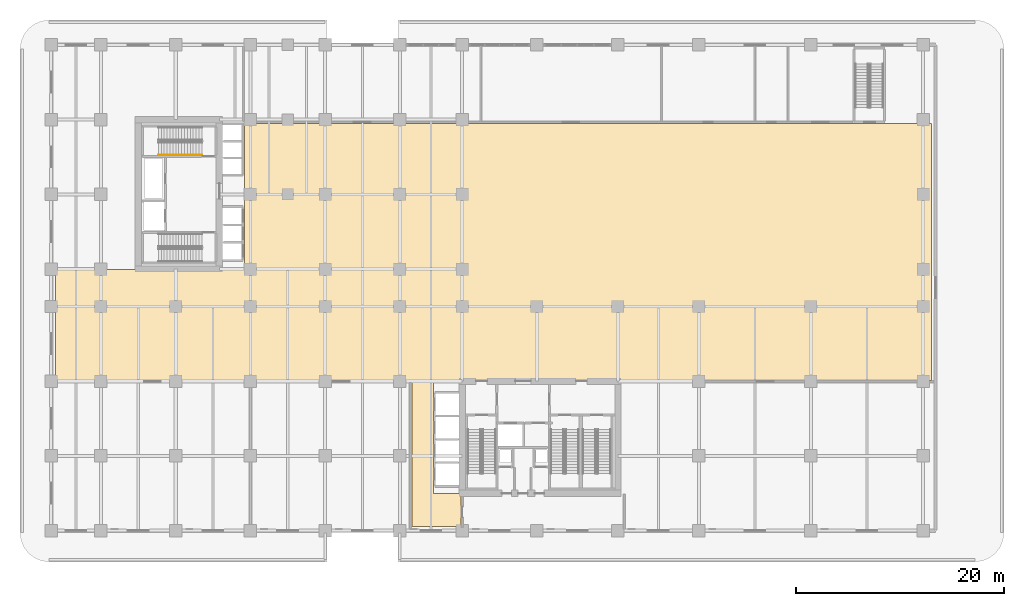
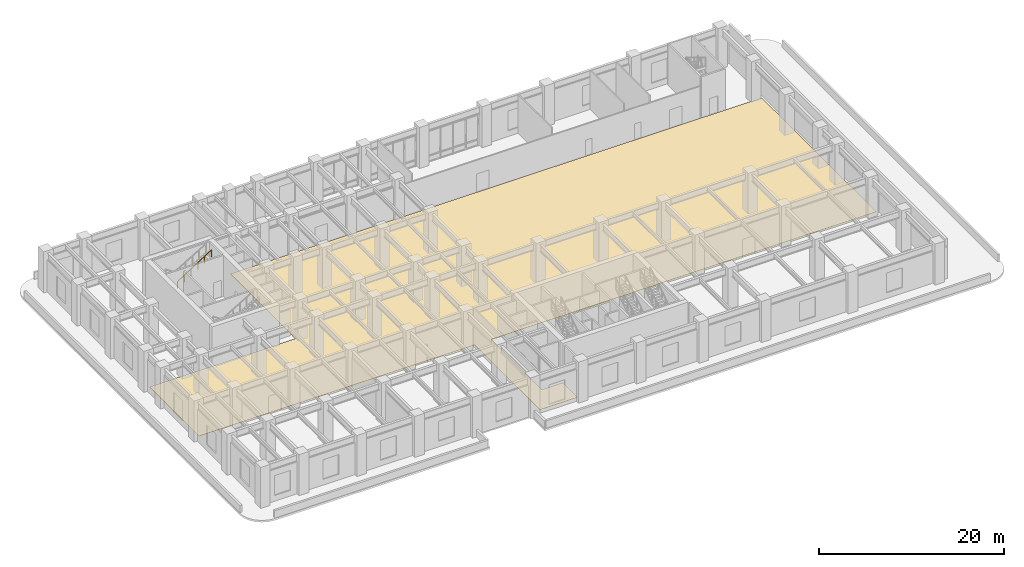
# One storey, part 18 of 20: 1 covering, 1 railing.
"""IFC4 building model written with IfcOpenShell, lengths in metres."""

from ifc_helpers import new_model, si_unit, derived_unit, direction, frame, origin, origin_2d, place, context, subcontext, project, spatial, polyline, rectangle, outline, extrude, material, layer, layer_set, type_object, element, save


model = new_model("IFC4")

# Units and contexts
model_context = context("Model", 3, precision=1e-05, world=origin(), true_north=direction((0.0, 1.0)))
body_context = subcontext(model_context, "Body", "Model", "MODEL_VIEW")
ifc_project = project(units=[si_unit("LENGTHUNIT", "METRE"), si_unit("AREAUNIT", "SQUARE_METRE"), si_unit("VOLUMEUNIT", "CUBIC_METRE"), si_unit("PLANEANGLEUNIT", "RADIAN"), si_unit("MASSUNIT", "GRAM", prefix="KILO"), si_unit("THERMODYNAMICTEMPERATUREUNIT", "KELVIN"), si_unit("POWERUNIT", "WATT"), derived_unit("THERMALTRANSMITTANCEUNIT", [(si_unit("POWERUNIT", "WATT"), 1), (si_unit("AREAUNIT", "SQUARE_METRE"), -1), (si_unit("THERMODYNAMICTEMPERATUREUNIT", "KELVIN"), -1)])], contexts=[model_context])

# Site, building, storey
site_placement = place(None, origin())
site = spatial("IfcSite", under=ifc_project, at=site_placement, CompositionType="ELEMENT")
building_placement = place(site_placement, origin())
building = spatial("IfcBuilding", under=site, at=building_placement, Name="Zahravan Archway Hotel and Residences", CompositionType="ELEMENT")
storey_placement = place(building_placement, frame((0.0, 0.0, 16.199951171875)))
storey = spatial("IfcBuildingStorey", under=building, at=storey_placement, Name="L03", CompositionType="ELEMENT", Elevation=16.199951171875)

# Covering
ifc_material_1 = material(Name="Honed Margalla Limestone & Mortar Bed", Category="masonry")
ifc_layer = layer(ifc_material_1, 0.030029296875, Name="Honed Margalla Limestone & Mortar Bed", Category="masonry")
ifc_layer_set = layer_set([ifc_layer], Name="Honed Margalla Limestone & Mortar Bed")
covering_type = type_object("IfcCoveringType", Name="COV-FLR-STONE", PredefinedType="FLOORING", material=ifc_layer_set)
covering_placement = place(storey_placement, origin())
element("IfcCovering", 1, at=covering_placement, inside=storey, type_object=covering_type, Name="L03 Circulation Floor Finish", PredefinedType="FLOORING", context=body_context, shape_type="SweptSolid", body=[
    extrude(outline(polyline([(32.021484375, 3.634521484375), (32.04345703125, 3.593505859375), (32.08447265625, 3.571533203125), (34.669921875, 3.570068359375), (34.669921875, 0.3798828125), (29.9599609375, 0.3798828125), (29.9599609375, 14.39990234375), (29.946533203125, 14.4443359375), (29.91064453125, 14.473876953125), (-4.3701171875, 14.47998046875), (-4.3701171875, 25.169921875), (3.5517578125, 25.169921875), (11.419921875, 25.14990234375), (13.75, 25.169921875), (13.79443359375, 25.18359375), (13.823974609375, 25.219482421875), (13.830078125, 39.219970703125), (80.02001953125, 39.219970703125), (80.02001953125, 14.47998046875), (32.10009765625, 14.47998046875), (32.0556640625, 14.466552734375), (32.026123046875, 14.4306640625), (32.02001953125, 3.64990234375), (32.021484375, 3.634521484375)])), origin(), (0.0, 0.0, 1.0), 0.030029296875),
])

# Railing
ifc_material_2 = material(Name="Brushed Stainless Steel", Category="steel")
railing_type = type_object("IfcRailingType", Name="RL-STH-900", PredefinedType="HANDRAIL", material=ifc_material_2)
railing_placement = place(storey_placement, frame((5.530029296875, 36.2099609375, 2.868896484375)))
element("IfcRailing", 2, at=railing_placement, inside=storey, type_object=railing_type, Name="L03 ST-B2 stair handrail 2", PredefinedType="HANDRAIL", context=body_context, shape_type="SweptSolid", body=[
    extrude(rectangle(XDim=0.048095703125, YDim=0.048095703125, at=origin_2d()), frame((0.0, 0.0, 0.8759765625), z_axis=(0.841180064094, 0.0, 0.540755119968), x_axis=(0.0, 1.0, 0.0)), (0.0, 0.0, 1.0), 4.992919921875),
    extrude(rectangle(XDim=0.0419921875, YDim=0.0419921875, at=origin_2d()), origin(), (0.0, 0.0, 1.0), 0.851806640625),
    extrude(rectangle(XDim=0.0419921875, YDim=0.0419921875, at=origin_2d()), frame((0.840087890625, 0.0, 0.5400390625)), (0.0, 0.0, 1.0), 0.851806640625),
    extrude(rectangle(XDim=0.0419921875, YDim=0.0419921875, at=origin_2d()), frame((1.679931640625, 0.0, 1.080078125)), (0.0, 0.0, 1.0), 0.851806640625),
    extrude(rectangle(XDim=0.0419921875, YDim=0.0419921875, at=origin_2d()), frame((2.52001953125, 0.0, 1.619873046875)), (0.0, 0.0, 1.0), 0.851806640625),
    extrude(rectangle(XDim=0.0419921875, YDim=0.0419921875, at=origin_2d()), frame((3.35986328125, 0.0, 2.159912109375)), (0.0, 0.0, 1.0), 0.851806640625),
    extrude(rectangle(XDim=0.0419921875, YDim=0.0419921875, at=origin_2d()), frame((4.199951171875, 0.0, 2.699951171875)), (0.0, 0.0, 1.0), 0.851806640625),
])

save(model, "model.ifc")
